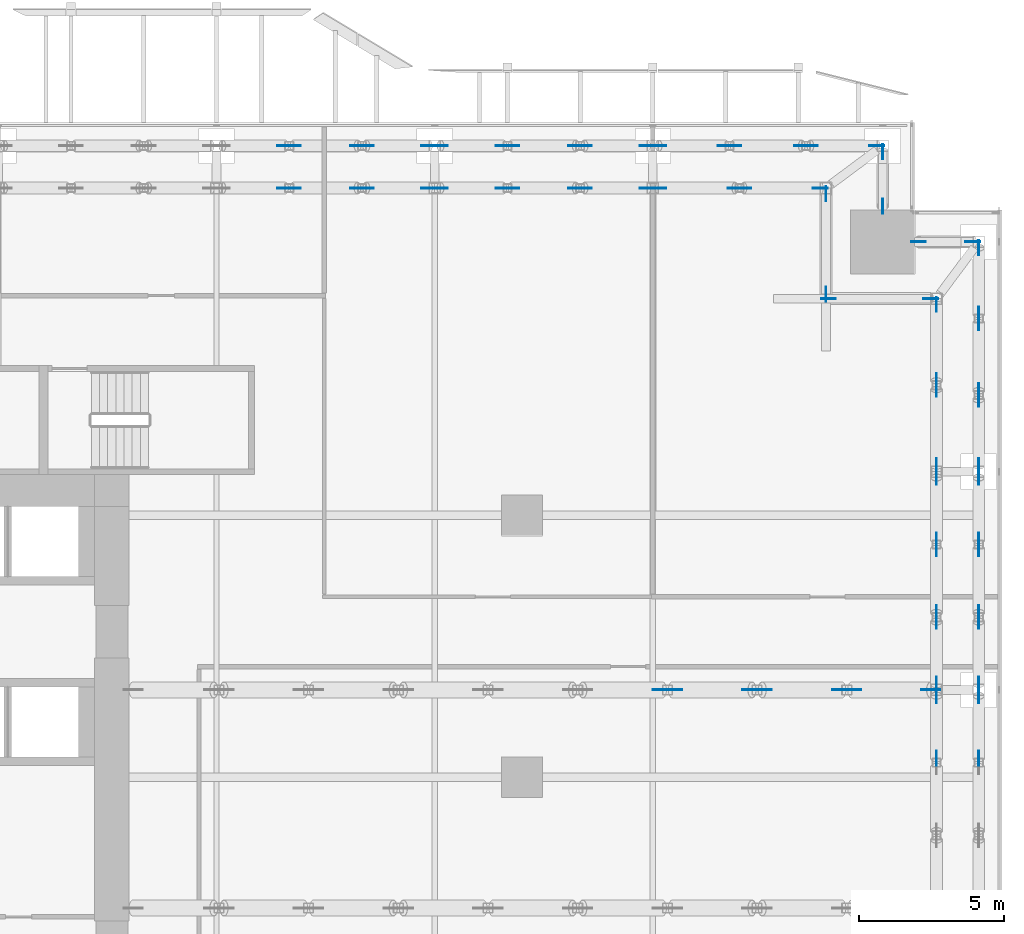
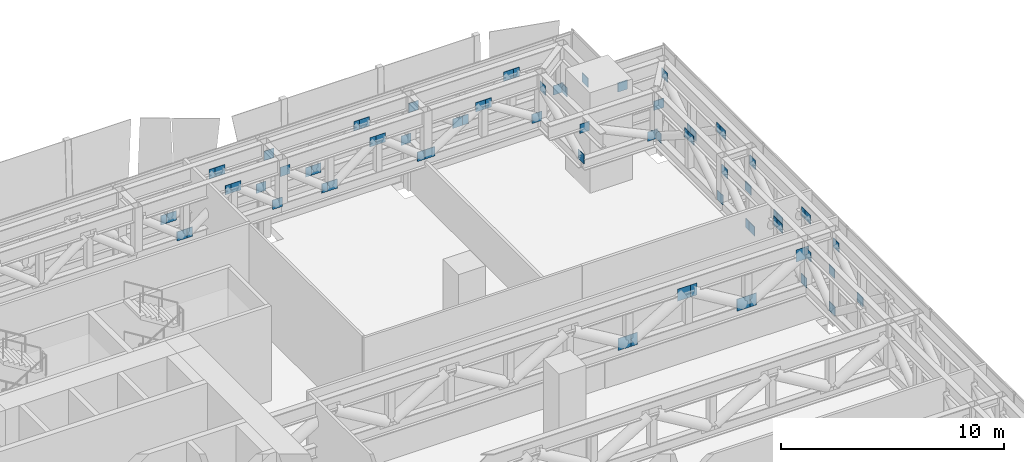
# One storey, part 37 of 39: 73 discrete accessories.
"""IFC4 building model written with IfcOpenShell, lengths in metres."""

from ifc_helpers import new_model, si_unit, direction, frame, origin, origin_2d, place, context, subcontext, project, spatial, rectangle, extrude, source, transform, mapped, material, layer, layer_set, type_object, element, save


model = new_model("IFC4")

# Units and contexts
model_context = context("Model", 3, precision=1e-05, world=origin(), true_north=direction((0.0, 1.0)))
body_context = subcontext(model_context, "Body", "Model", "MODEL_VIEW")
ifc_project = project(units=[si_unit("LENGTHUNIT", "METRE"), si_unit("AREAUNIT", "SQUARE_METRE"), si_unit("VOLUMEUNIT", "CUBIC_METRE"), si_unit("PLANEANGLEUNIT", "RADIAN"), si_unit("MASSUNIT", "GRAM", prefix="KILO")], contexts=[model_context])

# Site, building, storey
site_placement = place(None, origin())
site = spatial("IfcSite", under=ifc_project, at=site_placement, CompositionType="ELEMENT")
building_placement = place(site_placement, origin())
building = spatial("IfcBuilding", under=site, at=building_placement, Name="Khomas Fold Tower", CompositionType="ELEMENT")
storey_placement = place(building_placement, frame((0.0, 0.0, 96.0)))
storey = spatial("IfcBuildingStorey", under=building, at=storey_placement, Name="L20", CompositionType="ELEMENT", Elevation=96.0)

# Discrete accessories
ifc_material_1 = material(Name="Steel S355", Category="steel")
ifc_layer_1 = layer(ifc_material_1, 0.030029296875)
ifc_layer_set_1 = layer_set([ifc_layer_1], Name="Steel S355")
discrete_accessory_type_1 = type_object("IfcDiscreteAccessoryType", Name="Gusset plate 30 x 510 GP3", PredefinedType="BRACKET", material=ifc_layer_set_1)
shared_shape_1 = source(origin(), body_context, "Body", "SweptSolid", [
    extrude(rectangle(XDim=0.510009765625, YDim=0.030029296875, at=origin_2d()), origin(), (0.0, 0.0, 1.0), 0.510009765625),
])
for number, where, z_axis, x_axis, name in (
    (1, (29.35009765625, 51.75, 2.490234375), (0.0, 0.0, 1.0), (1.0, 0.0, 0.0), "Gusset plate BT1-D"),
    (2, (29.35009765625, 53.199951171875, 2.490234375), (0.0, 0.0, 1.0), (1.0, 0.0, 0.0), "Gusset plate BT1-D"),
    (3, (29.64990234375, 51.75, 2.490234375), (0.0, 0.0, 1.0), (1.0, 0.0, 0.0), "Gusset plate BT1-D"),
    (4, (29.64990234375, 53.199951171875, 2.490234375), (0.0, 0.0, 1.0), (1.0, 0.0, 0.0), "Gusset plate BT1-D"),
    (5, (31.85009765625, 51.75, 4.14990234375), (0.0, 0.0, 1.0), (1.0, 0.0, 0.0), "Gusset plate BT1-D"),
    (6, (31.85009765625, 53.199951171875, 4.14990234375), (0.0, 0.0, 1.0), (1.0, 0.0, 0.0), "Gusset plate BT1-D"),
    (7, (32.14990234375, 51.75, 4.14990234375), (0.0, 0.0, 1.0), (1.0, 0.0, 0.0), "Gusset plate BT1-D"),
    (8, (32.14990234375, 53.199951171875, 4.14990234375), (0.0, 0.0, 1.0), (1.0, 0.0, 0.0), "Gusset plate BT1-D"),
    (9, (34.300048828125, 51.75, 2.490234375), (0.0, 0.0, 1.0), (1.0, 0.0, 0.0), "Gusset plate BT1-D"),
    (10, (34.300048828125, 53.199951171875, 2.490234375), (0.0, 0.0, 1.0), (1.0, 0.0, 0.0), "Gusset plate BT1-D"),
    (11, (34.699951171875, 51.75, 4.14990234375), (0.0, 0.0, 1.0), (1.0, 0.0, 0.0), "Gusset plate BT1-D"),
    (12, (34.699951171875, 53.199951171875, 4.14990234375), (0.0, 0.0, 1.0), (1.0, 0.0, 0.0), "Gusset plate BT1-D"),
    (13, (36.85009765625, 51.75, 2.490234375), (0.0, 0.0, 1.0), (1.0, 0.0, 0.0), "Gusset plate BT1-D"),
    (14, (36.85009765625, 53.199951171875, 2.490234375), (0.0, 0.0, 1.0), (1.0, 0.0, 0.0), "Gusset plate BT1-D"),
    (15, (37.14990234375, 51.75, 2.490234375), (0.0, 0.0, 1.0), (1.0, 0.0, 0.0), "Gusset plate BT1-D"),
    (16, (37.14990234375, 53.199951171875, 2.490234375), (0.0, 0.0, 1.0), (1.0, 0.0, 0.0), "Gusset plate BT1-D"),
    (17, (39.35009765625, 51.75, 4.14990234375), (0.0, 0.0, 1.0), (1.0, 0.0, 0.0), "Gusset plate BT1-D"),
    (18, (39.35009765625, 53.199951171875, 4.14990234375), (0.0, 0.0, 1.0), (1.0, 0.0, 0.0), "Gusset plate BT1-D"),
    (19, (39.64990234375, 51.75, 4.14990234375), (0.0, 0.0, 1.0), (1.0, 0.0, 0.0), "Gusset plate BT1-D"),
    (20, (39.64990234375, 53.199951171875, 4.14990234375), (0.0, 0.0, 1.0), (1.0, 0.0, 0.0), "Gusset plate BT1-D"),
    (21, (41.800048828125, 51.75, 2.490234375), (0.0, 0.0, 1.0), (1.0, 0.0, 0.0), "Gusset plate BT1-D"),
    (22, (41.800048828125, 53.199951171875, 2.490234375), (0.0, 0.0, 1.0), (1.0, 0.0, 0.0), "Gusset plate BT1-D"),
    (23, (42.199951171875, 51.75, 2.490234375), (0.0, 0.0, 1.0), (1.0, 0.0, 0.0), "Gusset plate BT1-D"),
    (24, (42.199951171875, 53.199951171875, 4.14990234375), (0.0, 0.0, 1.0), (1.0, 0.0, 0.0), "Gusset plate BT1-D"),
    (25, (44.4833984375, 53.199951171875, 2.490234375), (0.0, 0.0, 1.0), (1.0, 0.0, 0.0), "Gusset plate BT1-D"),
    (26, (44.783447265625, 53.199951171875, 2.490234375), (0.0, 0.0, 1.0), (1.0, 0.0, 0.0), "Gusset plate BT1-D"),
    (27, (44.824951171875, 51.75, 4.14990234375), (0.0, 0.0, 1.0), (1.0, 0.0, 0.0), "Gusset plate BT1-D"),
    (28, (45.125, 51.75, 4.14990234375), (0.0, 0.0, 1.0), (1.0, 0.0, 0.0), "Gusset plate BT1-D"),
    (29, (47.11669921875, 53.199951171875, 4.14990234375), (0.0, 0.0, 1.0), (1.0, 0.0, 0.0), "Gusset plate BT1-D"),
    (30, (47.416748046875, 53.199951171875, 4.14990234375), (0.0, 0.0, 1.0), (1.0, 0.0, 0.0), "Gusset plate BT1-D"),
    (31, (47.75, 51.75, 2.490234375), (0.0, 0.0, 1.0), (1.0, 0.0, 0.0), "Gusset plate BT1-D"),
    (32, (47.949951171875, 48.10009765625, 2.490234375), (0.0, 0.0, 1.0), (0.0, 1.0, 0.0), "Gusset plate BT1-DL"),
    (33, (47.949951171875, 51.550048828125, 4.14990234375), (0.0, 0.0, 1.0), (0.0, 1.0, 0.0), "Gusset plate BT1-DL"),
    (34, (48.03466796875, 47.949951171875, 4.14990234375), (0.0, 0.0, 1.0), (1.0, 0.0, 0.0), "Gusset plate BT1-DL"),
    (35, (49.699951171875, 53.199951171875, 2.490234375), (0.0, 0.0, 1.0), (1.0, 0.0, 0.0), "Gusset plate BT1-D"),
    (36, (49.89990234375, 51.12939453125, 4.14990234375), (0.0, 0.0, 1.0), (0.0, 1.0, 0.0), "Gusset plate BT1-D"),
    (37, (49.89990234375, 53.0, 2.490234375), (0.0, 0.0, 1.0), (0.0, 1.0, 0.0), "Gusset plate BT1-D"),
    (38, (51.12939453125, 49.89990234375, 4.14990234375), (0.0, 0.0, 1.0), (1.0, 0.0, 0.0), "Gusset plate BT1-D"),
    (39, (51.550048828125, 47.949951171875, 2.490234375), (0.0, 0.0, 1.0), (1.0, 0.0, 0.0), "Gusset plate BT1-DL"),
    (40, (51.75, 32.14990234375, 2.490234375), (0.0, 0.0, 1.0), (0.0, 1.0, 0.0), "Gusset plate BT1-D"),
    (41, (51.75, 34.300048828125, 4.14990234375), (0.0, 0.0, 1.0), (0.0, 1.0, 0.0), "Gusset plate BT1-D"),
    (42, (51.75, 34.699951171875, 2.490234375), (0.0, 0.0, 1.0), (0.0, 1.0, 0.0), "Gusset plate BT1-D"),
    (43, (51.75, 36.85009765625, 4.14990234375), (0.0, 0.0, 1.0), (0.0, 1.0, 0.0), "Gusset plate BT1-D"),
    (44, (51.75, 37.14990234375, 4.14990234375), (0.0, 0.0, 1.0), (0.0, 1.0, 0.0), "Gusset plate BT1-D"),
    (45, (51.75, 39.35009765625, 2.490234375), (0.0, 0.0, 1.0), (0.0, 1.0, 0.0), "Gusset plate BT1-D"),
    (46, (51.75, 39.64990234375, 2.490234375), (0.0, 0.0, 1.0), (0.0, 1.0, 0.0), "Gusset plate BT1-D"),
    (47, (51.75, 41.800048828125, 4.14990234375), (0.0, 0.0, 1.0), (0.0, 1.0, 0.0), "Gusset plate BT1-D"),
    (48, (51.75, 42.199951171875, 2.490234375), (0.0, 0.0, 1.0), (0.0, 1.0, 0.0), "Gusset plate BT1-D"),
    (49, (51.75, 44.824951171875, 4.14990234375), (0.0, 0.0, 1.0), (0.0, 1.0, 0.0), "Gusset plate BT1-D"),
    (50, (51.75, 45.125, 4.14990234375), (0.0, 0.0, 1.0), (0.0, 1.0, 0.0), "Gusset plate BT1-D"),
    (51, (51.75, 47.75, 2.490234375), (0.0, 0.0, 1.0), (0.0, 1.0, 0.0), "Gusset plate BT1-D"),
    (52, (53.0, 49.89990234375, 2.490234375), (0.0, 0.0, 1.0), (1.0, 0.0, 0.0), "Gusset plate BT1-D"),
    (53, (53.199951171875, 32.14990234375, 2.490234375), (0.0, 0.0, 1.0), (0.0, 1.0, 0.0), "Gusset plate BT1-D"),
    (54, (53.199951171875, 34.300048828125, 4.14990234375), (0.0, 0.0, 1.0), (0.0, 1.0, 0.0), "Gusset plate BT1-D"),
    (55, (53.199951171875, 34.699951171875, 2.490234375), (0.0, 0.0, 1.0), (0.0, 1.0, 0.0), "Gusset plate BT1-D"),
    (56, (53.199951171875, 36.85009765625, 4.14990234375), (0.0, 0.0, 1.0), (0.0, 1.0, 0.0), "Gusset plate BT1-D"),
    (57, (53.199951171875, 37.14990234375, 4.14990234375), (0.0, 0.0, 1.0), (0.0, 1.0, 0.0), "Gusset plate BT1-D"),
    (58, (53.199951171875, 39.35009765625, 2.490234375), (0.0, 0.0, 1.0), (0.0, 1.0, 0.0), "Gusset plate BT1-D"),
    (59, (53.199951171875, 39.64990234375, 2.490234375), (0.0, 0.0, 1.0), (0.0, 1.0, 0.0), "Gusset plate BT1-D"),
    (60, (53.199951171875, 41.800048828125, 4.14990234375), (0.0, 0.0, 1.0), (0.0, 1.0, 0.0), "Gusset plate BT1-D"),
    (61, (53.199951171875, 42.199951171875, 2.490234375), (0.0, 0.0, 1.0), (0.0, 1.0, 0.0), "Gusset plate BT1-D"),
    (62, (53.199951171875, 44.4833984375, 4.14990234375), (0.0, 0.0, 1.0), (0.0, 1.0, 0.0), "Gusset plate BT1-D"),
    (63, (53.199951171875, 44.783447265625, 4.14990234375), (0.0, 0.0, 1.0), (0.0, 1.0, 0.0), "Gusset plate BT1-D"),
    (64, (53.199951171875, 47.11669921875, 2.490234375), (0.0, 0.0, 1.0), (0.0, 1.0, 0.0), "Gusset plate BT1-D"),
    (65, (53.199951171875, 47.416748046875, 2.490234375), (0.0, 0.0, 1.0), (0.0, 1.0, 0.0), "Gusset plate BT1-D"),
    (66, (53.199951171875, 49.699951171875, 4.14990234375), (0.0, 0.0, 1.0), (0.0, 1.0, 0.0), "Gusset plate BT1-D"),
):
    element("IfcDiscreteAccessory", number, at=place(storey_placement, frame(where, z_axis=z_axis, x_axis=x_axis)), inside=storey, type_object=discrete_accessory_type_1, Name=name, PredefinedType="BRACKET", context=body_context, shape_type="MappedRepresentation", body=[
        mapped(shared_shape_1, transform((0.0, 0.0, 0.0))),
    ])
ifc_material_2 = material(Name="Steel S355", Category="steel")
ifc_layer_2 = layer(ifc_material_2, 0.030029296875)
ifc_layer_set_2 = layer_set([ifc_layer_2], Name="Steel S355")
discrete_accessory_type_2 = type_object("IfcDiscreteAccessoryType", Name="Gusset plate 30 x 660 GP4", PredefinedType="BRACKET", material=ifc_layer_set_2)
shared_shape_2 = source(origin(), body_context, "Body", "SweptSolid", [
    extrude(rectangle(XDim=0.659912109375, YDim=0.030029296875, at=origin_2d()), origin(), (0.0, 0.0, 1.0), 0.659912109375),
])
for number, where, z_axis, x_axis, name in (
    (67, (42.324951171875, 34.5, 2.43505859375), (0.0, 0.0, 1.0), (1.0, 0.0, 0.0), "Gusset plate OR1-D"),
    (68, (42.675048828125, 34.5, 2.43505859375), (0.0, 0.0, 1.0), (1.0, 0.0, 0.0), "Gusset plate OR1-D"),
    (69, (45.408447265625, 34.5, 4.06103515625), (0.0, 0.0, 1.0), (1.0, 0.0, 0.0), "Gusset plate OR1-D"),
    (70, (45.75830078125, 34.5, 4.06103515625), (0.0, 0.0, 1.0), (1.0, 0.0, 0.0), "Gusset plate OR1-D"),
    (71, (48.49169921875, 34.5, 2.43505859375), (0.0, 0.0, 1.0), (1.0, 0.0, 0.0), "Gusset plate OR1-D"),
    (72, (48.841552734375, 34.5, 2.43505859375), (0.0, 0.0, 1.0), (1.0, 0.0, 0.0), "Gusset plate OR1-D"),
    (73, (51.550048828125, 34.5, 4.06103515625), (0.0, 0.0, 1.0), (1.0, 0.0, 0.0), "Gusset plate OR1-D"),
):
    element("IfcDiscreteAccessory", number, at=place(storey_placement, frame(where, z_axis=z_axis, x_axis=x_axis)), inside=storey, type_object=discrete_accessory_type_2, Name=name, PredefinedType="BRACKET", context=body_context, shape_type="MappedRepresentation", body=[
        mapped(shared_shape_2, transform((0.0, 0.0, 0.0))),
    ])

save(model, "model.ifc")
